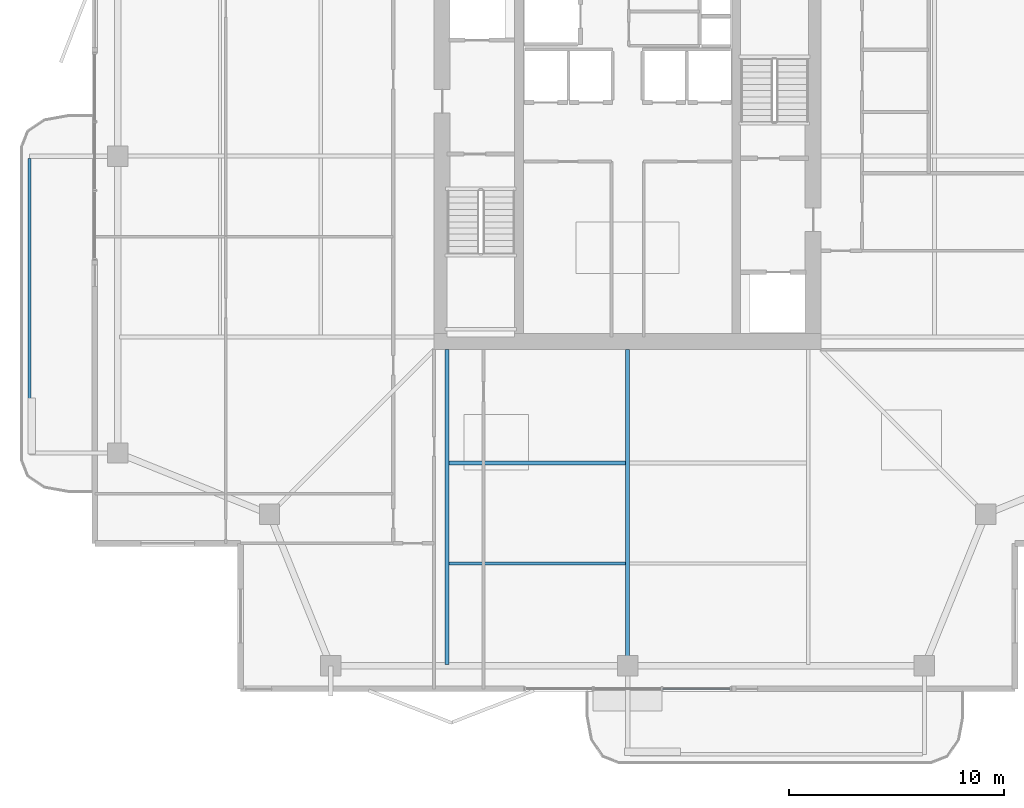
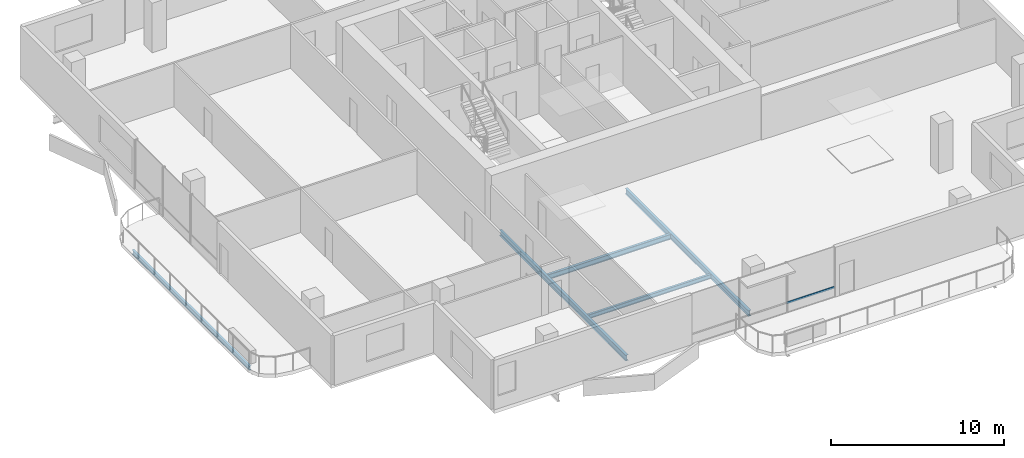
# One storey, part 3 of 25: 5 beams, 1 member, 1 element without a shape of its own.
"""IFC4 building model written with IfcOpenShell, lengths in metres."""

from ifc_helpers import new_model, si_unit, direction, frame, origin, origin_2d, place, context, subcontext, project, spatial, hollow_rectangle, i_section, extrude, material, layer, layer_set, material_profile, profile_set, type_object, element, aggregate, save


model = new_model("IFC4")

# Units and contexts
model_context = context("Model", 3, precision=1e-05, world=origin(), true_north=direction((0.0, 1.0)))
body_context = subcontext(model_context, "Body", "Model", "MODEL_VIEW")
ifc_project = project(units=[si_unit("LENGTHUNIT", "METRE"), si_unit("AREAUNIT", "SQUARE_METRE"), si_unit("VOLUMEUNIT", "CUBIC_METRE"), si_unit("PLANEANGLEUNIT", "RADIAN"), si_unit("MASSUNIT", "GRAM", prefix="KILO")], contexts=[model_context])

# Site, building, storey
site_placement = place(None, origin())
site = spatial("IfcSite", under=ifc_project, at=site_placement, CompositionType="ELEMENT")
building_placement = place(site_placement, origin())
building = spatial("IfcBuilding", under=site, at=building_placement, Name="Belovzor Exchange Tower", CompositionType="ELEMENT")
storey_placement = place(building_placement, frame((0.0, 0.0, 269.10009765625)))
storey = spatial("IfcBuildingStorey", under=building, at=storey_placement, Name="L67", CompositionType="ELEMENT", Elevation=269.10009765625)

# Beams
ifc_material_1 = material(Name="Steel S355", Category="steel")
ifc_material_profile_1 = material_profile(ifc_material_1, i_section(OverallWidth=0.14990234375, OverallDepth=0.300048828125, WebThickness=0.007080078125, FlangeThickness=0.0107421875, at=origin_2d()))
ifc_profile_set_1 = profile_set([ifc_material_profile_1], Name="Steel S355")
beam_type_1 = type_object("IfcBeamType", Name="Planted Balcony Fascia Edge Beam IPE 300", PredefinedType="BEAM", material=ifc_profile_set_1)
beam_1_placement = place(storey_placement, frame((0.989013671875, 28.699951171875, -0.400146484375), z_axis=(0.0, -1.0, 0.0), x_axis=(1.0, 0.0, 0.0)))
element("IfcBeam", 1, at=beam_1_placement, inside=storey, type_object=beam_type_1, Name="BC-300 Planted Balcony Fascia Edge Beam IPE 300", PredefinedType="BEAM", context=body_context, shape_type="SweptSolid", body=[
    extrude(i_section(OverallWidth=0.14990234375, OverallDepth=0.300048828125, WebThickness=0.007080078125, FlangeThickness=0.0107421875, at=origin_2d()), origin(), (0.0, 0.0, 1.0), 13.599853515625),
])
ifc_material_2 = material(Name="Steel S355", Category="steel")
ifc_material_profile_2 = material_profile(ifc_material_2, i_section(OverallWidth=0.169921875, OverallDepth=0.360107421875, WebThickness=0.008056640625, FlangeThickness=0.0126953125, at=origin_2d()))
ifc_profile_set_2 = profile_set([ifc_material_profile_2], Name="Steel S355")
beam_type_2 = type_object("IfcBeamType", Name="Secondary Infill Floor Joist IPE 360", PredefinedType="BEAM", material=ifc_profile_set_2)
beam_2_placement = place(storey_placement, frame((20.489990234375, 14.534912109375, -0.43017578125), z_axis=(1.0, 0.0, 0.0), x_axis=(0.0, 1.0, 0.0)))
element("IfcBeam", 2, at=beam_2_placement, inside=storey, type_object=beam_type_2, Name="FJ-360 Secondary Infill Floor Joist IPE 360", PredefinedType="BEAM", context=body_context, shape_type="SweptSolid", body=[
    extrude(i_section(OverallWidth=0.169921875, OverallDepth=0.360107421875, WebThickness=0.008056640625, FlangeThickness=0.0126953125, at=origin_2d()), origin(), (0.0, 0.0, 1.0), 8.219970703125),
])
ifc_material_3 = material(Name="Steel S355", Category="steel")
ifc_material_profile_3 = material_profile(ifc_material_3, i_section(OverallWidth=0.14990234375, OverallDepth=0.300048828125, WebThickness=0.007080078125, FlangeThickness=0.0107421875, at=origin_2d()))
ifc_profile_set_3 = profile_set([ifc_material_profile_3], Name="Steel S355")
beam_type_3 = type_object("IfcBeamType", Name="Secondary Trim Floor Joist IPE 300", PredefinedType="BEAM", material=ifc_profile_set_3)
beam_3_placement = place(storey_placement, frame((20.489990234375, 9.85498046875, -0.400146484375), z_axis=(1.0, 0.0, 0.0), x_axis=(0.0, 1.0, 0.0)))
element("IfcBeam", 3, at=beam_3_placement, inside=storey, type_object=beam_type_3, Name="FJ-300 Secondary Trim Floor Joist IPE 300", PredefinedType="BEAM", context=body_context, shape_type="SweptSolid", body=[
    extrude(i_section(OverallWidth=0.14990234375, OverallDepth=0.300048828125, WebThickness=0.007080078125, FlangeThickness=0.0107421875, at=origin_2d()), origin(), (0.0, 0.0, 1.0), 8.219970703125),
])

# Curtain wall, member
ifc_material_4 = material(Name="Anodised Aluminium Framing", Category="aluminium")
ifc_layer = layer(ifc_material_4, 0.179931640625)
ifc_layer_set = layer_set([ifc_layer], Name="Anodised Aluminium Framing")
curtain_wall_type = type_object("IfcCurtainWallType", Name="Recessed Loggia Low-Iron Triple-Glazed Curtain Wall", PredefinedType="NOTDEFINED", material=ifc_layer_set)
curtain_wall_placement = place(storey_placement, origin())
curtain_wall = element("IfcCurtainWall", 4, at=curtain_wall_placement, inside=storey, type_object=curtain_wall_type, Name="CW3 Recessed Loggia Low-Iron Triple-Glazed Curtain Wall L67", PredefinedType="NOTDEFINED")
ifc_material_5 = material(Name="Steel S355", Category="steel")
ifc_material_profile_4 = material_profile(ifc_material_5, hollow_rectangle(XDim=0.06005859375, YDim=0.14990234375, WallThickness=0.00390625, at=origin_2d()))
ifc_profile_set_4 = profile_set([ifc_material_profile_4], Name="Steel S355")
member_type = type_object("IfcMemberType", Name="Thermally Broken Curtain Wall Transom 150x60", PredefinedType="USERDEFINED", material=ifc_profile_set_4)
member_placement = place(storey_placement, frame((33.592041015625, 4.030029296875, 0.6298828125), z_axis=(-1.0, 0.0, 0.0), x_axis=(0.0, -1.0, 0.0)))
member = element("IfcMember", 5, at=member_placement, type_object=member_type, Name="CW-T150 Curtain Wall Transom 1", ObjectType="TRANSOM", PredefinedType="USERDEFINED", context=body_context, shape_type="SweptSolid", body=[
    extrude(hollow_rectangle(XDim=0.06005859375, YDim=0.14990234375, WallThickness=0.00390625, at=origin_2d()), origin(), (0.0, 0.0, 1.0), 3.18408203125),
])
aggregate(curtain_wall, [member])

# Beams
ifc_material_6 = material(Name="Steel S355", Category="steel")
ifc_material_profile_5 = material_profile(ifc_material_6, i_section(OverallWidth=0.179931640625, OverallDepth=0.39990234375, WebThickness=0.008544921875, FlangeThickness=0.013427734375, at=origin_2d()))
ifc_profile_set_5 = profile_set([ifc_material_profile_5], Name="Steel S355")
beam_type_4 = type_object("IfcBeamType", Name="Zone 5-6 Radial Composite Floor Beam IPE 400", PredefinedType="BEAM", material=ifc_profile_set_5)
beam_4_placement = place(storey_placement, frame((20.39990234375, 19.800048828125, -0.4501953125), z_axis=(0.0, -1.0, 0.0), x_axis=(1.0, 0.0, 0.0)))
element("IfcBeam", 6, at=beam_4_placement, inside=storey, type_object=beam_type_4, Name="FB-400 Zone 5-6 Radial Composite Floor Beam IPE 400", PredefinedType="BEAM", context=body_context, shape_type="SweptSolid", body=[
    extrude(i_section(OverallWidth=0.179931640625, OverallDepth=0.39990234375, WebThickness=0.008544921875, FlangeThickness=0.013427734375, at=origin_2d()), origin(), (0.0, 0.0, 1.0), 14.625),
])
beam_5_placement = place(storey_placement, frame((28.800048828125, 19.800048828125, -0.4501953125), z_axis=(0.0, -1.0, 0.0), x_axis=(1.0, 0.0, 0.0)))
element("IfcBeam", 7, at=beam_5_placement, inside=storey, type_object=beam_type_4, Name="FB-400 Zone 5-6 Radial Composite Floor Beam IPE 400", PredefinedType="BEAM", context=body_context, shape_type="SweptSolid", body=[
    extrude(i_section(OverallWidth=0.179931640625, OverallDepth=0.39990234375, WebThickness=0.008544921875, FlangeThickness=0.013427734375, at=origin_2d()), origin(), (0.0, 0.0, 1.0), 14.281982421875),
])

save(model, "model.ifc")
